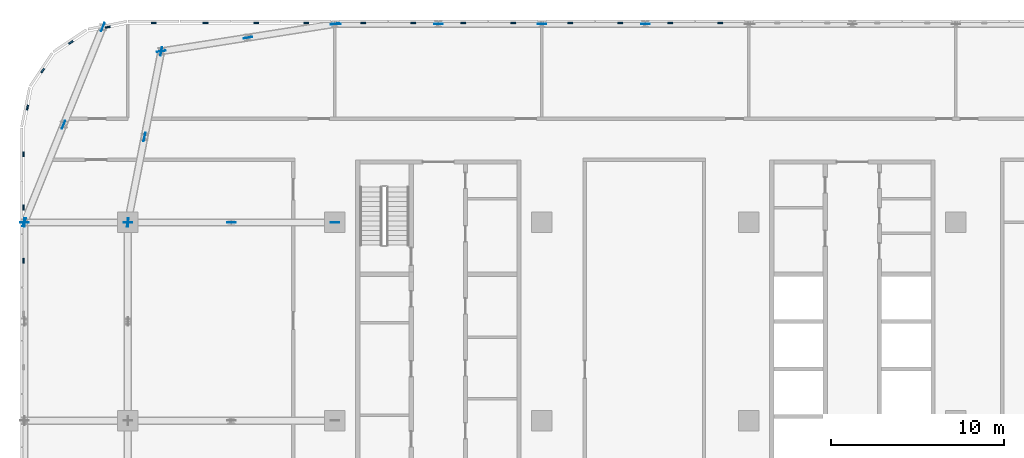
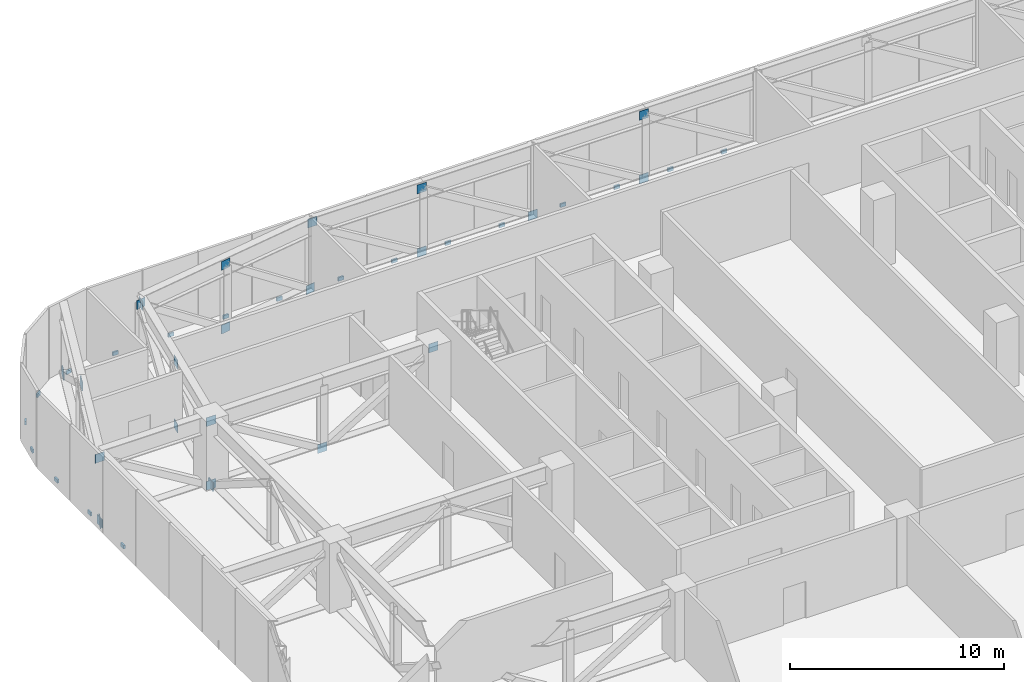
# One storey, part 16 of 26: 43 discrete accessories.
"""IFC4 building model written with IfcOpenShell, lengths in metres."""

from ifc_helpers import new_model, si_unit, direction, frame, origin, origin_2d, place, context, subcontext, project, spatial, rectangle, extrude, material, layer, layer_set, type_object, element, save


model = new_model("IFC4")

# Units and contexts
model_context = context("Model", 3, precision=1e-05, world=origin(), true_north=direction((0.0, 1.0)))
body_context = subcontext(model_context, "Body", "Model", "MODEL_VIEW")
ifc_project = project(units=[si_unit("LENGTHUNIT", "METRE"), si_unit("AREAUNIT", "SQUARE_METRE"), si_unit("VOLUMEUNIT", "CUBIC_METRE"), si_unit("PLANEANGLEUNIT", "RADIAN"), si_unit("MASSUNIT", "GRAM", prefix="KILO")], contexts=[model_context])

# Site, building, storey
site_placement = place(None, origin())
site = spatial("IfcSite", under=ifc_project, at=site_placement, CompositionType="ELEMENT")
building_placement = place(site_placement, origin())
building = spatial("IfcBuilding", under=site, at=building_placement, Name="Mahtab Terrace Research Tower", CompositionType="ELEMENT")
storey_placement = place(building_placement, frame((0.0, 0.0, 189.60009765625)))
storey = spatial("IfcBuildingStorey", under=building, at=storey_placement, Name="L45", CompositionType="ELEMENT", Elevation=189.60009765625)

# Discrete accessories
ifc_material_1 = material(Name="Black anodised aluminium", Category="aluminium")
discrete_accessory_type_1 = type_object("IfcDiscreteAccessoryType", Name="Facade bracket", PredefinedType="BRACKET", material=ifc_material_1)
for number, where, z_axis, x_axis, name in (
    (1, (-7.656005859375, 23.044921875, -0.30029296875), (0.0, 0.0, 1.0), (-1.0, 0.0, 0.0), "Louvre bracket L45 41"),
    (2, (-10.552001953125, 23.044921875, -0.30029296875), (0.0, 0.0, 1.0), (-1.0, 0.0, 0.0), "Louvre bracket L45 42"),
    (3, (-13.447998046875, 23.044921875, -0.30029296875), (0.0, 0.0, 1.0), (-1.0, 0.0, 0.0), "Louvre bracket L45 43"),
    (4, (-16.343994140625, 23.044921875, -0.30029296875), (0.0, 0.0, 1.0), (-1.0, 0.0, 0.0), "Louvre bracket L45 44"),
    (5, (-19.656005859375, 23.044921875, -0.30029296875), (0.0, 0.0, 1.0), (-1.0, 0.0, 0.0), "Louvre bracket L45 45"),
    (6, (-22.552001953125, 23.044921875, -0.30029296875), (0.0, 0.0, 1.0), (-1.0, 0.0, 0.0), "Louvre bracket L45 46"),
    (7, (-25.447998046875, 23.044921875, -0.30029296875), (0.0, 0.0, 1.0), (-1.0, 0.0, 0.0), "Louvre bracket L45 47"),
    (8, (-28.343994140625, 23.044921875, -0.30029296875), (0.0, 0.0, 1.0), (-1.0, 0.0, 0.0), "Louvre bracket L45 48"),
    (9, (-31.656005859375, 23.044921875, -0.30029296875), (0.0, 0.0, 1.0), (-1.0, 0.0, 0.0), "Louvre bracket L45 49"),
    (10, (-34.552001953125, 23.044921875, -0.30029296875), (0.0, 0.0, 1.0), (-1.0, 0.0, 0.0), "Louvre bracket L45 50"),
    (11, (-37.5, 23.044921875, -0.30029296875), (0.0, 0.0, 1.0), (-1.0, 0.0, 0.0), "Louvre bracket L45 51"),
    (12, (-40.5, 23.044921875, -0.30029296875), (0.0, 0.0, 1.0), (-1.0, 0.0, 0.0), "Louvre bracket L45 52"),
    (13, (-43.15673828125, 22.815673828125, -0.30029296875), (0.0, 0.0, 1.0), (-0.980760981187, -0.195212442692, 0.0), "Louvre bracket L45 53"),
    (14, (-45.29443359375, 21.930419921875, -0.30029296875), (0.0, 0.0, 1.0), (-0.831655794326, -0.555291490808, 0.0), "Louvre bracket L45 54"),
    (15, (-46.930419921875, 20.29443359375, -0.30029296875), (0.0, 0.0, 1.0), (-0.555291490808, -0.831655794326, 0.0), "Louvre bracket L45 55"),
    (16, (-47.815673828125, 18.15673828125, -0.30029296875), (0.0, 0.0, 1.0), (-0.195212442692, -0.980760981187, 0.0), "Louvre bracket L45 56"),
    (17, (-48.044921875, 15.45458984375, -0.30029296875), (0.0, 0.0, 1.0), (0.0, -1.0, 0.0), "Louvre bracket L45 57"),
    (18, (-48.044921875, 12.363525390625, -0.30029296875), (0.0, 0.0, 1.0), (0.0, -1.0, 0.0), "Louvre bracket L45 58"),
    (19, (-48.044921875, 9.272705078125, -0.30029296875), (0.0, 0.0, 1.0), (0.0, -1.0, 0.0), "Louvre bracket L45 59"),
):
    element("IfcDiscreteAccessory", number, at=place(storey_placement, frame(where, z_axis=z_axis, x_axis=x_axis)), inside=storey, type_object=discrete_accessory_type_1, Name=name, PredefinedType="BRACKET", context=body_context, shape_type="SweptSolid", body=[
        extrude(rectangle(XDim=0.300048828125, YDim=0.090087890625, at=origin_2d()), origin(), (0.0, 0.0, 1.0), 0.199951171875),
    ])
ifc_material_2 = material(Name="Steel ASTM A992 Gr 50", Category="steel")
ifc_layer = layer(ifc_material_2, 0.030029296875)
ifc_layer_set = layer_set([ifc_layer], Name="Gusset plate 500x500x30")
discrete_accessory_type_2 = type_object("IfcDiscreteAccessoryType", Name="Gusset plate 500x500x30", PredefinedType="USERDEFINED", material=ifc_layer_set)
for number, where, z_axis, x_axis, name in (
    (20, (-48.0, 11.5, 3.20947265625), (0.0, 0.0, 1.0), (1.0, 0.0, 0.0), "Gusset plate"),
    (21, (-42.0, 11.5, -0.427978515625), (0.0, 0.0, 1.0), (1.0, 0.0, 0.0), "Gusset plate"),
    (22, (-42.0, 11.5, 3.20947265625), (0.0, 0.0, 1.0), (1.0, 0.0, 0.0), "Gusset plate"),
    (23, (-36.0, 11.5, -0.427978515625), (0.0, 0.0, 1.0), (1.0, 0.0, 0.0), "Gusset plate"),
    (24, (-30.0, 11.5, 3.20947265625), (0.0, 0.0, 1.0), (1.0, 0.0, 0.0), "Gusset plate"),
    (25, (-29.899658203125, 23.0, 3.322021484375), (0.0, 0.0, 1.0), (1.0, 0.0, 0.0), "Gusset plate"),
    (26, (-24.0, 23.0, -0.427978515625), (0.0, 0.0, 1.0), (1.0, 0.0, 0.0), "Gusset plate"),
    (27, (-24.0, 23.0, 3.20947265625), (0.0, 0.0, 1.0), (1.0, 0.0, 0.0), "Gusset plate"),
    (28, (-18.0, 23.0, -0.427978515625), (0.0, 0.0, 1.0), (1.0, 0.0, 0.0), "Gusset plate"),
    (29, (-12.0, 23.0, -0.427978515625), (0.0, 0.0, 1.0), (1.0, 0.0, 0.0), "Gusset plate"),
    (30, (-12.0, 23.0, 3.20947265625), (0.0, 0.0, 1.0), (1.0, 0.0, 0.0), "Gusset plate"),
    (31, (-40.06201171875, 21.416015625, 3.20947265625), (0.0, 0.0, 1.0), (0.987835337919, 0.15550352137, 0.0), "Gusset plate"),
    (32, (-35.031005859375, 22.2080078125, -0.427978515625), (0.0, 0.0, 1.0), (0.987835337919, 0.15550352137, 0.0), "Gusset plate"),
    (33, (-35.031005859375, 22.2080078125, 3.20947265625), (0.0, 0.0, 1.0), (0.987835337919, 0.15550352137, 0.0), "Gusset plate"),
    (34, (-30.0, 23.0, -0.427978515625), (0.0, 0.0, 1.0), (0.987835337919, 0.15550352137, 0.0), "Gusset plate"),
    (35, (-48.0, 11.5, -0.427978515625), (0.0, 0.0, 1.0), (0.373036363457, 0.927816723032, 0.0), "Gusset plate"),
    (36, (-45.72412109375, 17.160888671875, 3.20947265625), (0.0, 0.0, 1.0), (0.373036363457, 0.927816723032, 0.0), "Gusset plate"),
    (37, (-43.447998046875, 22.822021484375, -0.427978515625), (0.0, 0.0, 1.0), (0.373036363457, 0.927816723032, 0.0), "Gusset plate"),
    (38, (-42.0, 11.5, -0.427978515625), (0.0, 0.0, 1.0), (0.19181971899, 0.981430178569, 0.0), "Gusset plate"),
    (39, (-41.031005859375, 16.4580078125, -0.427978515625), (0.0, 0.0, 1.0), (0.19181971899, 0.981430178569, 0.0), "Gusset plate"),
    (40, (-41.031005859375, 16.4580078125, 3.20947265625), (0.0, 0.0, 1.0), (0.19181971899, 0.981430178569, 0.0), "Gusset plate"),
    (41, (-40.06201171875, 21.416015625, 3.20947265625), (0.0, 0.0, 1.0), (0.19181971899, 0.981430178569, 0.0), "Gusset plate"),
    (42, (-48.0, 11.5, -0.427978515625), (0.0, 0.0, 1.0), (0.0, 1.0, 0.0), "Gusset plate"),
    (43, (-42.0, 11.5, -0.427978515625), (0.0, 0.0, 1.0), (0.0, 1.0, 0.0), "Gusset plate"),
):
    element("IfcDiscreteAccessory", number, at=place(storey_placement, frame(where, z_axis=z_axis, x_axis=x_axis)), inside=storey, type_object=discrete_accessory_type_2, Name=name, ObjectType="GUSSET PLATE", PredefinedType="USERDEFINED", context=body_context, shape_type="SweptSolid", body=[
        extrude(rectangle(XDim=0.5, YDim=0.030029296875, at=origin_2d()), origin(), (0.0, 0.0, 1.0), 0.5),
    ])

save(model, "model.ifc")
